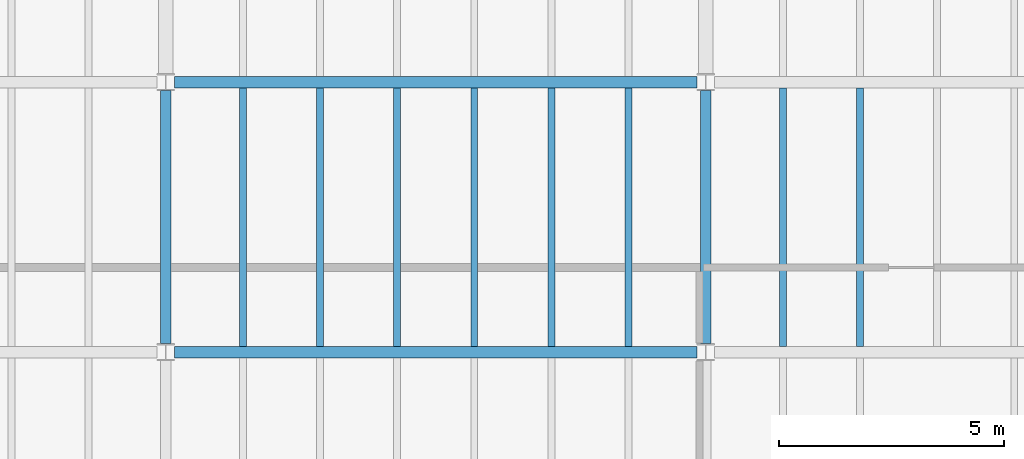
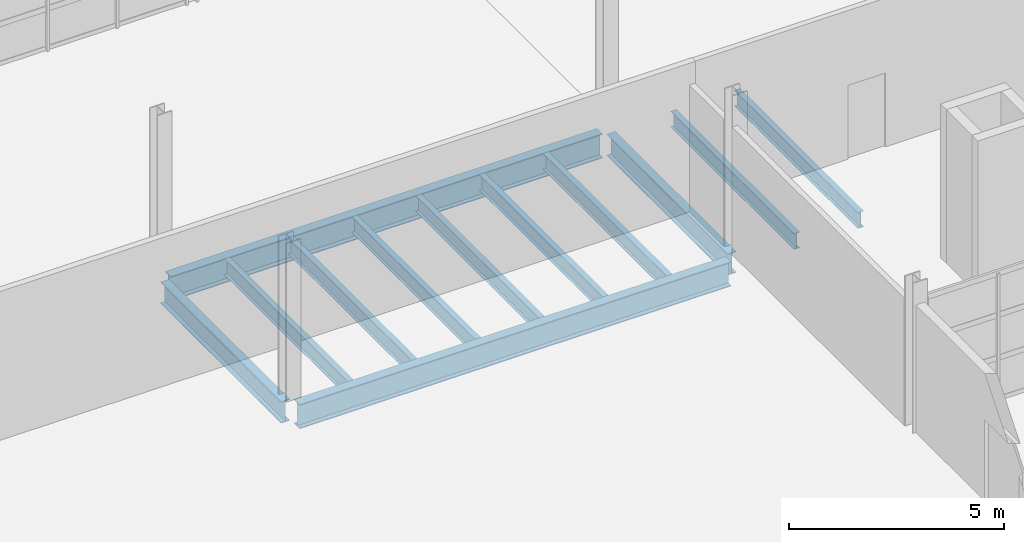
# One storey, part 39 of 114: 12 beams.
"""IFC4 building model written with IfcOpenShell, lengths in metres."""

import ifcopenshell
import ifcopenshell.guid

model = None  # the IFC model being written
_history = None  # IfcOwnerHistory: only IFC2X3 demands one
_inside = {}  # id of a spatial element -> (the spatial element, [elements in it])
_under = {}  # id of a project, library or spatial element -> (it, [spatial elements below it])
_declared = {}  # id of a project -> (the project, [libraries it declares])
_typed = {}  # id of a type object -> (the type object, [elements of that type])
_made_of = {}  # id of a material, layer set ... -> (it, [elements and type objects made of it])


def new_model(schema):
    """Start an empty IFC model of exactly this schema.

    Asked for "IFC4X3", IfcOpenShell would pick the latest addendum, in which some entities
    have other attributes; the version numbers below select the first issue.
    IFC2X3 requires an IfcOwnerHistory on every rooted entity: one is made here for all.
    """
    global model, _history
    if schema == "IFC4X3":
        model = ifcopenshell.file(schema_version=(4, 3, 0, 0))
    else:
        model = ifcopenshell.file(schema=schema)
    _inside.clear()
    _under.clear()
    _declared.clear()
    _typed.clear()
    _made_of.clear()
    _history = None
    if model.schema == "IFC2X3":
        org = make("IfcOrganization", Name="unknown")
        user = make(
            "IfcPersonAndOrganization",
            ThePerson=make("IfcPerson", FamilyName="unknown"),
            TheOrganization=org,
        )
        app = make(
            "IfcApplication",
            ApplicationDeveloper=org,
            Version="unknown",
            ApplicationFullName="unknown",
            ApplicationIdentifier="unknown",
        )
        _history = make(
            "IfcOwnerHistory",
            OwningUser=user,
            OwningApplication=app,
            ChangeAction="ADDED",
            CreationDate=0,
        )
    return model


def make(cls, **values):
    """One entity of the class cls with the attributes given. An attribute that is None is left unset."""
    return model.create_entity(
        cls, **{name: value for name, value in values.items() if value is not None}
    )


def rooted(cls, **values):
    """An entity with a GlobalId (a new one), such as an element, a storey or a relation."""
    return make(cls, GlobalId=ifcopenshell.guid.new(), OwnerHistory=_history, **values)


def si_unit(unit_type, name, prefix=None):
    """IfcSIUnit, for example si_unit("LENGTHUNIT", "METRE", prefix="MILLI")."""
    return make("IfcSIUnit", UnitType=unit_type, Prefix=prefix, Name=name)


def assignment(units):
    """IfcUnitAssignment: the units of a project."""
    return None if units is None else make("IfcUnitAssignment", Units=units)


def point(xyz):
    """IfcCartesianPoint."""
    return None if xyz is None else make("IfcCartesianPoint", Coordinates=xyz)


def direction(xyz):
    """IfcDirection."""
    return None if xyz is None else make("IfcDirection", DirectionRatios=xyz)


def frame(location, z_axis=None, x_axis=None):
    """IfcAxis2Placement3D, a coordinate frame: its origin and axes. An axis left out is left unset."""
    return make(
        "IfcAxis2Placement3D",
        Location=point(location),
        Axis=direction(z_axis),
        RefDirection=direction(x_axis),
    )


def frame_2d(location, x_axis=None):
    """IfcAxis2Placement2D, a coordinate frame in the plane: its origin and x axis."""
    return make(
        "IfcAxis2Placement2D", Location=point(location), RefDirection=direction(x_axis)
    )


def origin():
    """The frame at (0, 0, 0) with its axes left unset."""
    return frame((0.0, 0.0, 0.0))


def origin_2d():
    """The frame at (0, 0) in the plane with its x axis left unset."""
    return frame_2d((0.0, 0.0))


def place(relative_to, where):
    """IfcLocalPlacement: puts the frame where relative to a parent placement (None: the world)."""
    return make(
        "IfcLocalPlacement", PlacementRelTo=relative_to, RelativePlacement=where
    )


def context(
    kind, dimensions, precision=None, world=None, true_north=None, identifier=None
):
    """IfcGeometricRepresentationContext, for example the 3D "Model" context."""
    return make(
        "IfcGeometricRepresentationContext",
        ContextIdentifier=identifier,
        ContextType=kind,
        CoordinateSpaceDimension=dimensions,
        Precision=precision,
        WorldCoordinateSystem=world,
        TrueNorth=true_north,
    )


def subcontext(parent, identifier, kind, view, scale=None):
    """IfcGeometricRepresentationSubContext, for example "Body" below "Model"."""
    return make(
        "IfcGeometricRepresentationSubContext",
        ContextIdentifier=identifier,
        ContextType=kind,
        ParentContext=parent,
        TargetScale=scale,
        TargetView=view,
    )


def project(units=None, contexts=None):
    """IfcProject with its units and contexts."""
    return rooted(
        "IfcProject",
        Name="project",
        RepresentationContexts=contexts,
        UnitsInContext=assignment(units),
    )


def spatial(cls, under=None, at=None, **own):
    """A site, building, storey or space (cls), placed at a placement, below another one or the project."""
    s = rooted(cls, ObjectPlacement=at, **own)
    if under is not None:
        _under.setdefault(under.id(), (under, []))[1].append(s)
    return s


def profile(cls, at=None, kind="AREA", **sizes):
    """A parametric profile (cls). Its sizes go by their IFC names, for example OverallWidth=200.0."""
    return make(cls, ProfileType=kind, Position=at, **sizes)


def i_section(**sizes):
    """IfcIShapeProfileDef."""
    return profile("IfcIShapeProfileDef", **sizes)


def extrude(swept, where, along, depth):
    """IfcExtrudedAreaSolid: the profile swept, set in the frame where, extruded along a direction by depth."""
    return make(
        "IfcExtrudedAreaSolid",
        SweptArea=swept,
        Position=where,
        ExtrudedDirection=direction(along),
        Depth=depth,
    )


def shape(context_of_items, identifier, shape_type, items):
    """IfcShapeRepresentation: the items that make up one representation, for example the "Body"."""
    return make(
        "IfcShapeRepresentation",
        ContextOfItems=context_of_items,
        RepresentationIdentifier=identifier,
        RepresentationType=shape_type,
        Items=items,
    )


def material(Name=None, Category=None):
    """IfcMaterial."""
    return make("IfcMaterial", Name=Name, Category=Category)


def material_profile(
    of_material, cross_section, Name=None, Category=None, Priority=None
):
    """IfcMaterialProfile: a cross section and its material."""
    return make(
        "IfcMaterialProfile",
        Name=Name,
        Material=of_material,
        Profile=cross_section,
        Priority=Priority,
        Category=Category,
    )


def profile_set(profiles, Name=None, composite=None):
    """IfcMaterialProfileSet."""
    return make(
        "IfcMaterialProfileSet",
        Name=Name,
        MaterialProfiles=profiles,
        CompositeProfile=composite,
    )


def made_of(thing, what):
    """Note that an element or type object is made of a material, layer set ...; save() writes the relation."""
    if what is not None:
        _made_of.setdefault(what.id(), (what, []))[1].append(thing)
    return thing


def type_object(cls, material=None, **own):
    """A type object (cls), such as IfcWallType, which elements share."""
    return made_of(rooted(cls, **own), material)


def element(
    cls,
    number,
    at=None,
    inside=None,
    cuts=None,
    type_object=None,
    material=None,
    context=None,
    identifier="Body",
    shape_type=None,
    held_by="IfcProductDefinitionShape",
    body=None,
    shapes=None,
    **own,
):
    """One element of the class cls, such as IfcWall. Its Tag is "e" and its number.

    at: its placement. inside: the storey or other place that contains it. cuts: it is an
    opening in that element (IfcRelVoidsElement). A single representation is given by context,
    identifier, shape_type and body (its items); several are given by shapes. held_by: the class
    of the entity that holds the representations. save() writes the other relations.
    """
    e = rooted(cls, Tag="e%d" % number, ObjectPlacement=at, **own)
    if body is not None:
        shapes = [shape(context, identifier, shape_type, body)]
    if shapes is not None:
        e.Representation = make(held_by, Representations=shapes)
    if inside is not None:
        _inside.setdefault(inside.id(), (inside, []))[1].append(e)
    if cuts is not None:
        rooted(
            "IfcRelVoidsElement", RelatingBuildingElement=cuts, RelatedOpeningElement=e
        )
    if type_object is not None:
        _typed.setdefault(type_object.id(), (type_object, []))[1].append(e)
    return made_of(e, material)


def aggregate(whole, parts):
    """IfcRelAggregates: a whole, such as a stair, and the parts it consists of."""
    return rooted("IfcRelAggregates", RelatingObject=whole, RelatedObjects=parts)


def save(model, path):
    """Write the relations noted so far, then the file.

    IfcRelAggregates (storeys below a building ...), IfcRelContainedInSpatialStructure (elements
    in a storey), IfcRelDefinesByType, IfcRelAssociatesMaterial and IfcRelDeclares: one each for
    every whole, place, type object, material and project.
    """
    for whole, parts in _under.values():
        aggregate(whole, parts)
    for where, things in _inside.values():
        rooted(
            "IfcRelContainedInSpatialStructure",
            RelatedElements=things,
            RelatingStructure=where,
        )
    for kind, things in _typed.values():
        rooted("IfcRelDefinesByType", RelatedObjects=things, RelatingType=kind)
    for what, things in _made_of.values():
        rooted("IfcRelAssociatesMaterial", RelatedObjects=things, RelatingMaterial=what)
    for by, libraries in _declared.values():
        rooted("IfcRelDeclares", RelatingContext=by, RelatedDefinitions=libraries)
    model.write(path)


model = new_model("IFC4")

# Units and contexts
model_context = context("Model", 3, precision=1e-05, world=origin(), true_north=direction((0.0, 1.0)))
body_context = subcontext(model_context, "Body", "Model", "MODEL_VIEW")
ifc_project = project(units=[si_unit("LENGTHUNIT", "METRE"), si_unit("AREAUNIT", "SQUARE_METRE"), si_unit("VOLUMEUNIT", "CUBIC_METRE"), si_unit("PLANEANGLEUNIT", "RADIAN"), si_unit("MASSUNIT", "GRAM", prefix="KILO")], contexts=[model_context])

# Site, building, storey
site_placement = place(None, origin())
site = spatial("IfcSite", under=ifc_project, at=site_placement, CompositionType="ELEMENT")
building_placement = place(site_placement, origin())
building = spatial("IfcBuilding", under=site, at=building_placement, Name="Kelmvaro Bay Concert Hall", CompositionType="ELEMENT")
storey_placement = place(building_placement, frame((0.0, 0.0, 4.800048828125)))
storey = spatial("IfcBuildingStorey", under=building, at=storey_placement, Name="L01", CompositionType="ELEMENT", Elevation=4.800048828125)

# Beams
ifc_material_1 = material(Name="Steel ASTM A992 Grade 50", Category="steel")
ifc_material_profile_1 = material_profile(ifc_material_1, i_section(OverallWidth=0.152099609375, OverallDepth=0.455078125, WebThickness=0.008056640625, FlangeThickness=0.01318359375, at=origin_2d()), Name="W18X40")
ifc_profile_set_1 = profile_set([ifc_material_profile_1], Name="Steel ASTM A992 Grade 50")
beam_type_1 = type_object("IfcBeamType", Name="Foyer Concourse Floor Joist W18x40", PredefinedType="JOIST", material=ifc_profile_set_1)
for number, where, z_axis, x_axis, name in (
    (1, (97.71435546875, 24.1279296875, -0.4775390625), (0.0, 1.0, 0.0), (-1.0, 0.0, 0.0), "L01 Floor Joist JST-L01-0333"),
    (2, (99.4287109375, 24.1279296875, -0.4775390625), (0.0, 1.0, 0.0), (-1.0, 0.0, 0.0), "L01 Floor Joist JST-L01-0334"),
    (3, (101.142822265625, 24.1279296875, -0.4775390625), (0.0, 1.0, 0.0), (-1.0, 0.0, 0.0), "L01 Floor Joist JST-L01-0335"),
    (4, (102.857177734375, 24.1279296875, -0.4775390625), (0.0, 1.0, 0.0), (-1.0, 0.0, 0.0), "L01 Floor Joist JST-L01-0336"),
    (5, (104.5712890625, 24.1279296875, -0.4775390625), (0.0, 1.0, 0.0), (-1.0, 0.0, 0.0), "L01 Floor Joist JST-L01-0337"),
    (6, (106.28564453125, 24.1279296875, -0.4775390625), (0.0, 1.0, 0.0), (-1.0, 0.0, 0.0), "L01 Floor Joist JST-L01-0338"),
    (7, (109.71435546875, 24.1279296875, -0.4775390625), (0.0, 1.0, 0.0), (-1.0, 0.0, 0.0), "L01 Floor Joist JST-L01-0339"),
    (8, (111.4287109375, 24.1279296875, -0.4775390625), (0.0, 1.0, 0.0), (-1.0, 0.0, 0.0), "L01 Floor Joist JST-L01-0340"),
):
    element("IfcBeam", number, at=place(storey_placement, frame(where, z_axis=z_axis, x_axis=x_axis)), inside=storey, type_object=beam_type_1, Name=name, PredefinedType="JOIST", context=body_context, shape_type="SweptSolid", body=[
        extrude(i_section(OverallWidth=0.152099609375, OverallDepth=0.455078125, WebThickness=0.008056640625, FlangeThickness=0.01318359375, at=origin_2d()), origin(), (0.0, 0.0, 1.0), 5.744140625),
    ])
ifc_material_2 = material(Name="Steel ASTM A992 Grade 50", Category="steel")
ifc_material_profile_2 = material_profile(ifc_material_2, i_section(OverallWidth=0.256103515625, OverallDepth=0.693115234375, WebThickness=0.014404296875, FlangeThickness=0.023681640625, at=origin_2d()), Name="W27X114")
ifc_profile_set_2 = profile_set([ifc_material_profile_2], Name="Steel ASTM A992 Grade 50")
beam_type_2 = type_object("IfcBeamType", Name="Foyer Primary Girder W27x114", PredefinedType="BEAM", material=ifc_profile_set_2)
for number, where, z_axis, x_axis, name in (
    (9, (96.197998046875, 24.0, -0.596435546875), (1.0, 0.0, 0.0), (0.0, 1.0, 0.0), "L01 Girder BM-L01-EW-0029"),
    (10, (96.197998046875, 30.0, -0.596435546875), (1.0, 0.0, 0.0), (0.0, 1.0, 0.0), "L01 Girder BM-L01-EW-0039"),
):
    element("IfcBeam", number, at=place(storey_placement, frame(where, z_axis=z_axis, x_axis=x_axis)), inside=storey, type_object=beam_type_2, Name=name, PredefinedType="BEAM", context=body_context, shape_type="SweptSolid", body=[
        extrude(i_section(OverallWidth=0.256103515625, OverallDepth=0.693115234375, WebThickness=0.014404296875, FlangeThickness=0.023681640625, at=origin_2d()), origin(), (0.0, 0.0, 1.0), 11.60400390625),
    ])
ifc_material_3 = material(Name="Steel ASTM A992 Grade 50", Category="steel")
ifc_material_profile_3 = material_profile(ifc_material_3, i_section(OverallWidth=0.22900390625, OverallDepth=0.612060546875, WebThickness=0.011962890625, FlangeThickness=0.01953125, at=origin_2d()), Name="W24X84")
ifc_profile_set_3 = profile_set([ifc_material_profile_3], Name="Steel ASTM A992 Grade 50")
beam_type_3 = type_object("IfcBeamType", Name="Terrace Edge Girder W24x84", PredefinedType="BEAM", material=ifc_profile_set_3)
for number, where, z_axis, x_axis, name in (
    (11, (96.0, 24.1904296875, -0.55615234375), (0.0, 1.0, 0.0), (-1.0, 0.0, 0.0), "L01 Girder BM-L01-NS-0173"),
    (12, (108.0, 24.1904296875, -0.55615234375), (0.0, 1.0, 0.0), (-1.0, 0.0, 0.0), "L01 Girder BM-L01-NS-0177"),
):
    element("IfcBeam", number, at=place(storey_placement, frame(where, z_axis=z_axis, x_axis=x_axis)), inside=storey, type_object=beam_type_3, Name=name, PredefinedType="BEAM", context=body_context, shape_type="SweptSolid", body=[
        extrude(i_section(OverallWidth=0.22900390625, OverallDepth=0.612060546875, WebThickness=0.011962890625, FlangeThickness=0.01953125, at=origin_2d()), origin(), (0.0, 0.0, 1.0), 5.619140625),
    ])

save(model, "model.ifc")
